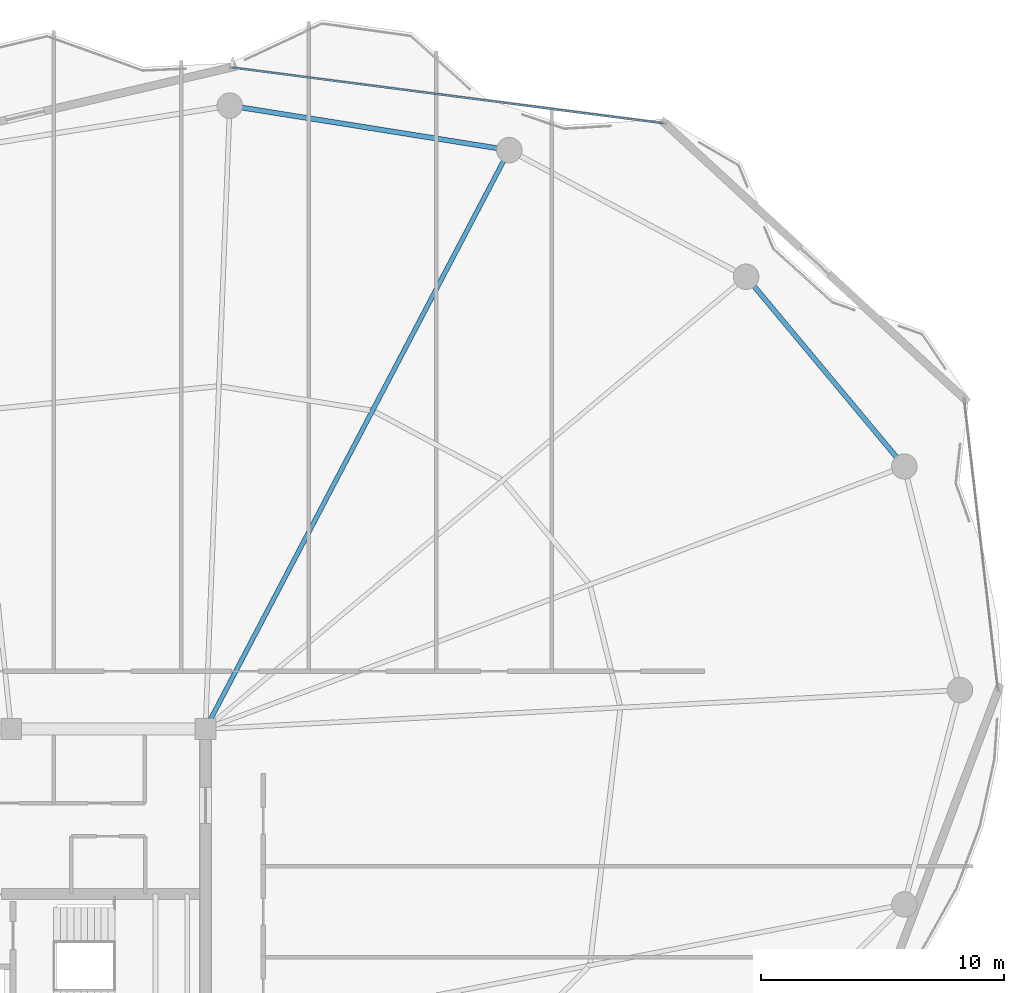
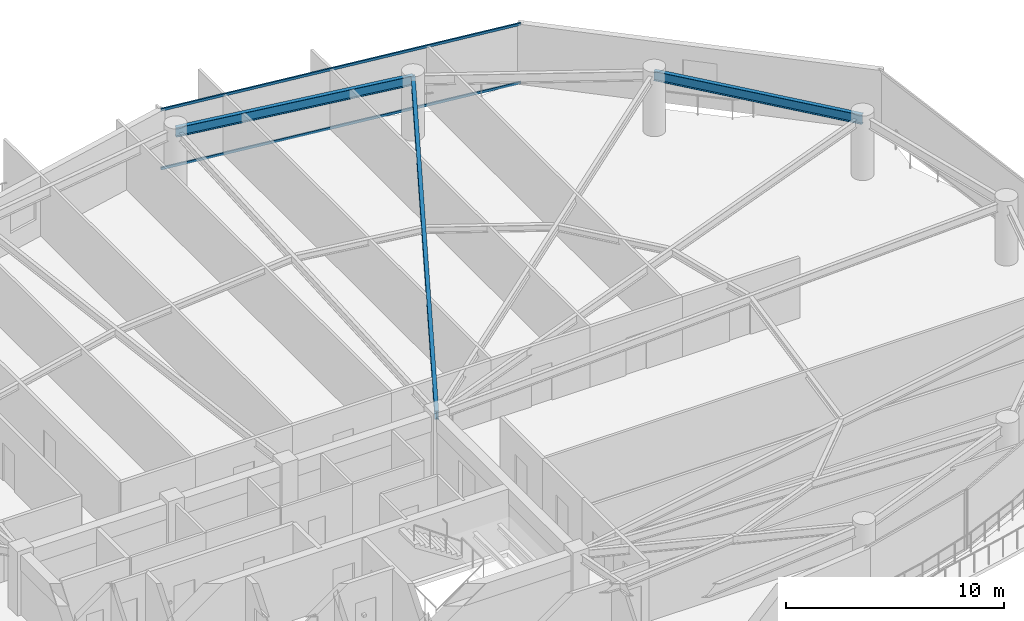
# One storey, part 21 of 31: 3 beams, 2 members, 1 element without a shape of its own.
"""IFC4 building model written with IfcOpenShell, lengths in metres."""

from ifc_helpers import new_model, si_unit, direction, frame, origin, origin_2d, place, context, subcontext, project, spatial, hollow_rectangle, i_section, extrude, material, layer, layer_set, material_profile, profile_set, type_object, element, aggregate, save


model = new_model("IFC4")

# Units and contexts
model_context = context("Model", 3, precision=1e-05, world=origin(), true_north=direction((0.0, 1.0)))
body_context = subcontext(model_context, "Body", "Model", "MODEL_VIEW")
ifc_project = project(units=[si_unit("LENGTHUNIT", "METRE"), si_unit("AREAUNIT", "SQUARE_METRE"), si_unit("VOLUMEUNIT", "CUBIC_METRE"), si_unit("PLANEANGLEUNIT", "RADIAN"), si_unit("MASSUNIT", "GRAM", prefix="KILO")], contexts=[model_context])

# Site, building, storey
site_placement = place(None, origin())
site = spatial("IfcSite", under=ifc_project, at=site_placement, CompositionType="ELEMENT")
building_placement = place(site_placement, origin())
building = spatial("IfcBuilding", under=site, at=building_placement, Name="Kazevale Care Tower and Concert Hall", CompositionType="ELEMENT")
storey_placement = place(building_placement, frame((0.0, 0.0, 238.800048828125)))
storey = spatial("IfcBuildingStorey", under=building, at=storey_placement, Name="L63", CompositionType="ELEMENT", Elevation=238.800048828125)

# Curtain wall, members
ifc_material_1 = material(Name="Aluminium 6063-T6 and Low-E Glass", Category="aluminium")
ifc_layer = layer(ifc_material_1, 0.179931640625)
ifc_layer_set = layer_set([ifc_layer], Name="Aluminium 6063-T6 and Low-E Glass")
curtain_wall_type = type_object("IfcCurtainWallType", Name="Waist & Upper Residential Curtain Wall CW-4", PredefinedType="NOTDEFINED", material=ifc_layer_set)
curtain_wall_placement = place(storey_placement, origin())
curtain_wall = element("IfcCurtainWall", 1, at=curtain_wall_placement, inside=storey, type_object=curtain_wall_type, Name="cw:L63:f16", PredefinedType="NOTDEFINED")
ifc_material_2 = material(Name="Aluminium 6063-T6", Category="aluminium")
ifc_material_profile_1 = material_profile(ifc_material_2, hollow_rectangle(XDim=0.080078125, YDim=0.139892578125, WallThickness=0.00390625, at=origin_2d()), Name="ALU80x140x4")
ifc_profile_set_1 = profile_set([ifc_material_profile_1], Name="Aluminium 6063-T6")
member_type = type_object("IfcMemberType", Name="CW-4 Transom ALU80x140x4", PredefinedType="USERDEFINED", material=ifc_profile_set_1)
member_1_placement = place(storey_placement, frame((45.123291015625, 63.61181640625, 0.0400390625), z_axis=(0.991760953967, -0.128102342625, 0.0), x_axis=(0.128102342625, 0.991760953967, 0.0)))
member_1 = element("IfcMember", 2, at=member_1_placement, type_object=member_type, Name="CW-4 transom 1.1", ObjectType="TRANSOM", PredefinedType="USERDEFINED", context=body_context, shape_type="SweptSolid", body=[
    extrude(hollow_rectangle(XDim=0.080078125, YDim=0.139892578125, WallThickness=0.00390625, at=origin_2d()), origin(), (0.0, 0.0, 1.0), 17.857666015625),
])
member_2_placement = place(storey_placement, frame((45.123291015625, 63.61181640625, 3.320068359375), z_axis=(0.991760953967, -0.128102342625, 0.0), x_axis=(0.128102342625, 0.991760953967, 0.0)))
member_2 = element("IfcMember", 3, at=member_2_placement, type_object=member_type, Name="CW-4 transom 1.2", ObjectType="TRANSOM", PredefinedType="USERDEFINED", context=body_context, shape_type="SweptSolid", body=[
    extrude(hollow_rectangle(XDim=0.080078125, YDim=0.139892578125, WallThickness=0.00390625, at=origin_2d()), origin(), (0.0, 0.0, 1.0), 17.857666015625),
])
aggregate(curtain_wall, [member_1, member_2])

# Beams
ifc_material_3 = material(Name="Steel ASTM A572 Gr 50", Category="steel")
ifc_material_profile_2 = material_profile(ifc_material_3, i_section(OverallWidth=0.19091796875, OverallDepth=0.4599609375, WebThickness=0.010009765625, FlangeThickness=0.01611328125, at=origin_2d()), Name="W460x82")
ifc_profile_set_2 = profile_set([ifc_material_profile_2], Name="Steel ASTM A572 Gr 50")
beam_type_1 = type_object("IfcBeamType", Name="Radial Floor Beam W460x82", PredefinedType="BEAM", material=ifc_profile_set_2)
beam_1_placement = place(storey_placement, frame((44.0, 36.39990234375, 3.1298828125), z_axis=(0.464672566396, 0.885482583702, 0.0), x_axis=(-0.885482583702, 0.464672566396, 0.0)))
element("IfcBeam", 4, at=beam_1_placement, inside=storey, type_object=beam_type_1, Name="beam:L63:rad:04", PredefinedType="BEAM", context=body_context, shape_type="SweptSolid", body=[
    extrude(i_section(OverallWidth=0.19091796875, OverallDepth=0.4599609375, WebThickness=0.010009765625, FlangeThickness=0.01611328125, at=origin_2d()), origin(), (0.0, 0.0, 1.0), 26.900634765625),
])
ifc_material_profile_3 = material_profile(ifc_material_3, i_section(OverallWidth=0.208984375, OverallDepth=0.532958984375, WebThickness=0.01025390625, FlangeThickness=0.015625, at=origin_2d()), Name="W530x92")
ifc_profile_set_3 = profile_set([ifc_material_profile_3], Name="Steel ASTM A572 Gr 50")
beam_type_2 = type_object("IfcBeamType", Name="Upper Ring Beam W530x92", PredefinedType="BEAM", material=ifc_profile_set_3)
beam_2_placement = place(storey_placement, frame((72.760009765625, 47.199951171875, 3.093505859375), z_axis=(-0.640278868102, 0.768142546056, 0.0), x_axis=(-0.768142546056, -0.640278868102, 0.0)))
element("IfcBeam", 5, at=beam_2_placement, inside=storey, type_object=beam_type_2, Name="beam:L63:ring:02", PredefinedType="BEAM", context=body_context, shape_type="SweptSolid", body=[
    extrude(i_section(OverallWidth=0.208984375, OverallDepth=0.532958984375, WebThickness=0.01025390625, FlangeThickness=0.015625, at=origin_2d()), origin(), (0.0, 0.0, 1.0), 10.16748046875),
])
beam_3_placement = place(storey_placement, frame((56.5, 60.219970703125, 3.093505859375), z_axis=(-0.987573207584, 0.15715966296, 0.0), x_axis=(-0.15715966296, -0.987573207584, 0.0)))
element("IfcBeam", 6, at=beam_3_placement, inside=storey, type_object=beam_type_2, Name="beam:L63:ring:04", PredefinedType="BEAM", context=body_context, shape_type="SweptSolid", body=[
    extrude(i_section(OverallWidth=0.208984375, OverallDepth=0.532958984375, WebThickness=0.01025390625, FlangeThickness=0.015625, at=origin_2d()), origin(), (0.0, 0.0, 1.0), 11.644775390625),
])

save(model, "model.ifc")
